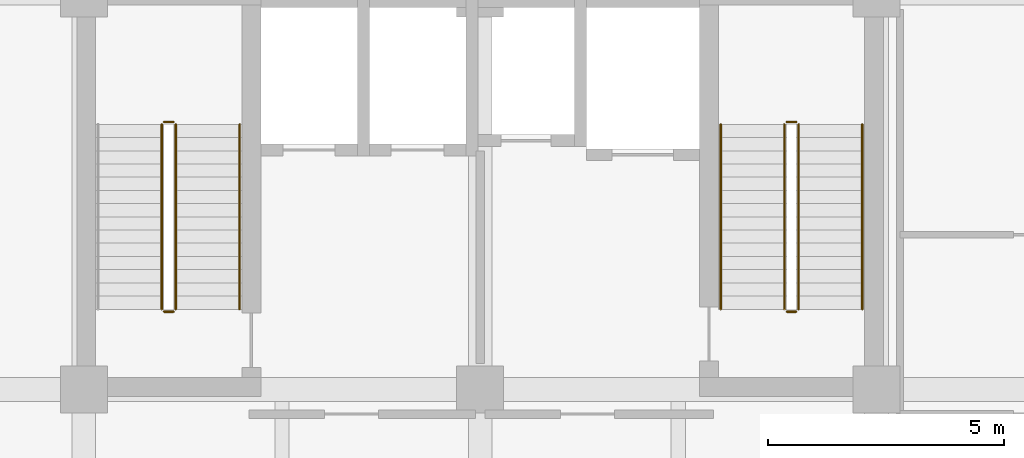
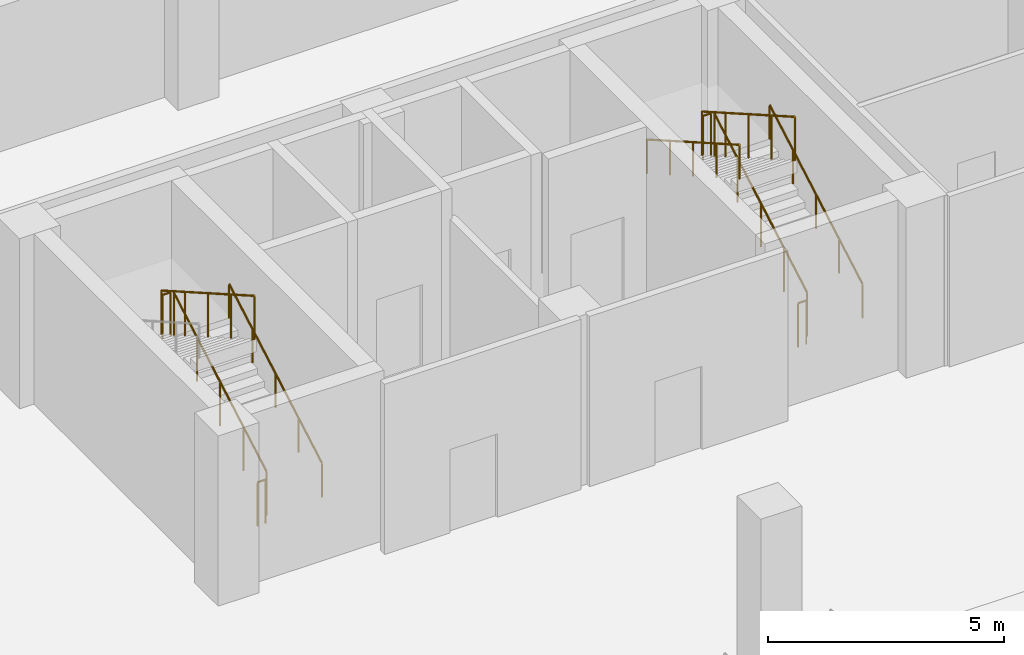
# One storey, part 17 of 17: 11 railings.
"""IFC4 building model written with IfcOpenShell, lengths in metres."""

from ifc_helpers import new_model, si_unit, direction, frame, origin, origin_2d, place, context, subcontext, project, spatial, circle, extrude, material, type_object, element, save


model = new_model("IFC4")

# Units and contexts
model_context = context("Model", 3, precision=1e-05, world=origin(), true_north=direction((0.0, 1.0)))
body_context = subcontext(model_context, "Body", "Model", "MODEL_VIEW")
ifc_project = project(units=[si_unit("LENGTHUNIT", "METRE"), si_unit("AREAUNIT", "SQUARE_METRE"), si_unit("VOLUMEUNIT", "CUBIC_METRE"), si_unit("PLANEANGLEUNIT", "RADIAN"), si_unit("MASSUNIT", "GRAM", prefix="KILO")], contexts=[model_context])

# Site, building, storey
site_placement = place(None, origin())
site = spatial("IfcSite", under=ifc_project, at=site_placement, CompositionType="ELEMENT")
building_placement = place(site_placement, origin())
building = spatial("IfcBuilding", under=site, at=building_placement, Name="Brinegate Botanical Conservatory", CompositionType="ELEMENT")
storey_placement = place(building_placement, frame((0.0, 0.0, -4.800048828125)))
storey = spatial("IfcBuildingStorey", under=building, at=storey_placement, Name="B1", CompositionType="ELEMENT", Elevation=-4.800048828125)

# Railings
ifc_material_1 = material(Name="Structural steel Q355B / S355 painted tubular guardrail", Category="steel")
railing_type_1 = type_object("IfcRailingType", Name="Rail_ST-GRD", PredefinedType="GUARDRAIL", material=ifc_material_1)
railing_1_placement = place(storey_placement, frame((140.75, 96.89990234375, 0.16015625)))
element("IfcRailing", 1, at=railing_1_placement, inside=storey, type_object=railing_type_1, Name="B1 ST1 stair guard 1", PredefinedType="GUARDRAIL", context=body_context, shape_type="SweptSolid", body=[
    extrude(circle(Radius=0.02392578125, at=origin_2d()), frame((0.0, 0.0, 1.1259765625), z_axis=(0.0, 0.86825312469, 0.496121468458), x_axis=(-1.0, 0.0, 0.0)), (0.0, 0.0, 1.0), 4.514892578125),
    extrude(circle(Radius=0.02099609375, at=origin_2d()), origin(), (0.0, 0.0, 1.0), 1.101806640625),
    extrude(circle(Radius=0.02099609375, at=origin_2d()), frame((0.0, 0.97998046875, 0.56005859375)), (0.0, 0.0, 1.0), 1.101806640625),
    extrude(circle(Radius=0.02099609375, at=origin_2d()), frame((0.0, 1.9599609375, 1.1201171875)), (0.0, 0.0, 1.0), 1.101806640625),
    extrude(circle(Radius=0.02099609375, at=origin_2d()), frame((0.0, 2.940185546875, 1.679931640625)), (0.0, 0.0, 1.0), 1.101806640625),
    extrude(circle(Radius=0.02099609375, at=origin_2d()), frame((0.0, 3.920166015625, 2.239990234375)), (0.0, 0.0, 1.0), 1.101806640625),
])
railing_2_placement = place(storey_placement, frame((140.699951171875, 100.8701171875, 2.400146484375)))
element("IfcRailing", 2, at=railing_2_placement, inside=storey, type_object=railing_type_1, Name="B1 ST1 stair guard 2", PredefinedType="GUARDRAIL", context=body_context, shape_type="SweptSolid", body=[
    extrude(circle(Radius=0.02392578125, at=origin_2d()), frame((0.0, 0.0, 1.1259765625), z_axis=(-1.0, 0.0, 0.0), x_axis=(0.0, -1.0, 0.0)), (0.0, 0.0, 1.0), 0.199951171875),
    extrude(circle(Radius=0.02099609375, at=origin_2d()), origin(), (0.0, 0.0, 1.0), 1.101806640625),
    extrude(circle(Radius=0.02099609375, at=origin_2d()), frame((-0.199951171875, 0.0, 0.0)), (0.0, 0.0, 1.0), 1.101806640625),
])
railing_3_placement = place(storey_placement, frame((140.449951171875, 100.820068359375, 2.56005859375)))
element("IfcRailing", 3, at=railing_3_placement, inside=storey, type_object=railing_type_1, Name="B1 ST1 stair guard 3", PredefinedType="GUARDRAIL", context=body_context, shape_type="SweptSolid", body=[
    extrude(circle(Radius=0.02392578125, at=origin_2d()), frame((0.0, 0.0, 1.1259765625), z_axis=(0.0, -0.86825312469, 0.496121468458), x_axis=(1.0, 0.0, 0.0)), (0.0, 0.0, 1.0), 4.514892578125),
    extrude(circle(Radius=0.02099609375, at=origin_2d()), origin(), (0.0, 0.0, 1.0), 1.101806640625),
    extrude(circle(Radius=0.02099609375, at=origin_2d()), frame((0.0, -0.97998046875, 0.56005859375)), (0.0, 0.0, 1.0), 1.101806640625),
    extrude(circle(Radius=0.02099609375, at=origin_2d()), frame((0.0, -1.9599609375, 1.1201171875)), (0.0, 0.0, 1.0), 1.101806640625),
    extrude(circle(Radius=0.02099609375, at=origin_2d()), frame((0.0, -2.940185546875, 1.679931640625)), (0.0, 0.0, 1.0), 1.101806640625),
    extrude(circle(Radius=0.02099609375, at=origin_2d()), frame((0.0, -3.920166015625, 2.239990234375)), (0.0, 0.0, 1.0), 1.101806640625),
])
railing_4_placement = place(storey_placement, frame((140.699951171875, 96.85009765625, 0.0)))
element("IfcRailing", 4, at=railing_4_placement, inside=storey, type_object=railing_type_1, Name="B1 ST1 stair guard 4", PredefinedType="GUARDRAIL", context=body_context, shape_type="SweptSolid", body=[
    extrude(circle(Radius=0.02392578125, at=origin_2d()), frame((0.0, 0.0, 1.1259765625), z_axis=(-1.0, 0.0, 0.0), x_axis=(0.0, -1.0, 0.0)), (0.0, 0.0, 1.0), 0.199951171875),
    extrude(circle(Radius=0.02099609375, at=origin_2d()), origin(), (0.0, 0.0, 1.0), 1.101806640625),
    extrude(circle(Radius=0.02099609375, at=origin_2d()), frame((-0.199951171875, 0.0, 0.0)), (0.0, 0.0, 1.0), 1.101806640625),
])
railing_5_placement = place(storey_placement, frame((153.949951171875, 96.89990234375, 0.16015625)))
element("IfcRailing", 5, at=railing_5_placement, inside=storey, type_object=railing_type_1, Name="B1 ST2 stair guard 1", PredefinedType="GUARDRAIL", context=body_context, shape_type="SweptSolid", body=[
    extrude(circle(Radius=0.02392578125, at=origin_2d()), frame((0.0, 0.0, 1.1259765625), z_axis=(0.0, 0.86825312469, 0.496121468458), x_axis=(-1.0, 0.0, 0.0)), (0.0, 0.0, 1.0), 4.514892578125),
    extrude(circle(Radius=0.02099609375, at=origin_2d()), origin(), (0.0, 0.0, 1.0), 1.101806640625),
    extrude(circle(Radius=0.02099609375, at=origin_2d()), frame((0.0, 0.97998046875, 0.56005859375)), (0.0, 0.0, 1.0), 1.101806640625),
    extrude(circle(Radius=0.02099609375, at=origin_2d()), frame((0.0, 1.9599609375, 1.1201171875)), (0.0, 0.0, 1.0), 1.101806640625),
    extrude(circle(Radius=0.02099609375, at=origin_2d()), frame((0.0, 2.940185546875, 1.679931640625)), (0.0, 0.0, 1.0), 1.101806640625),
    extrude(circle(Radius=0.02099609375, at=origin_2d()), frame((0.0, 3.920166015625, 2.239990234375)), (0.0, 0.0, 1.0), 1.101806640625),
])
railing_6_placement = place(storey_placement, frame((153.89990234375, 100.8701171875, 2.400146484375)))
element("IfcRailing", 6, at=railing_6_placement, inside=storey, type_object=railing_type_1, Name="B1 ST2 stair guard 2", PredefinedType="GUARDRAIL", context=body_context, shape_type="SweptSolid", body=[
    extrude(circle(Radius=0.02392578125, at=origin_2d()), frame((0.0, 0.0, 1.1259765625), z_axis=(-1.0, 0.0, 0.0), x_axis=(0.0, -1.0, 0.0)), (0.0, 0.0, 1.0), 0.199951171875),
    extrude(circle(Radius=0.02099609375, at=origin_2d()), origin(), (0.0, 0.0, 1.0), 1.101806640625),
    extrude(circle(Radius=0.02099609375, at=origin_2d()), frame((-0.199951171875, 0.0, 0.0)), (0.0, 0.0, 1.0), 1.101806640625),
])
railing_7_placement = place(storey_placement, frame((153.64990234375, 100.820068359375, 2.56005859375)))
element("IfcRailing", 7, at=railing_7_placement, inside=storey, type_object=railing_type_1, Name="B1 ST2 stair guard 3", PredefinedType="GUARDRAIL", context=body_context, shape_type="SweptSolid", body=[
    extrude(circle(Radius=0.02392578125, at=origin_2d()), frame((0.0, 0.0, 1.1259765625), z_axis=(0.0, -0.86825312469, 0.496121468458), x_axis=(1.0, 0.0, 0.0)), (0.0, 0.0, 1.0), 4.514892578125),
    extrude(circle(Radius=0.02099609375, at=origin_2d()), origin(), (0.0, 0.0, 1.0), 1.101806640625),
    extrude(circle(Radius=0.02099609375, at=origin_2d()), frame((0.0, -0.97998046875, 0.56005859375)), (0.0, 0.0, 1.0), 1.101806640625),
    extrude(circle(Radius=0.02099609375, at=origin_2d()), frame((0.0, -1.9599609375, 1.1201171875)), (0.0, 0.0, 1.0), 1.101806640625),
    extrude(circle(Radius=0.02099609375, at=origin_2d()), frame((0.0, -2.940185546875, 1.679931640625)), (0.0, 0.0, 1.0), 1.101806640625),
    extrude(circle(Radius=0.02099609375, at=origin_2d()), frame((0.0, -3.920166015625, 2.239990234375)), (0.0, 0.0, 1.0), 1.101806640625),
])
railing_8_placement = place(storey_placement, frame((153.89990234375, 96.85009765625, 0.0)))
element("IfcRailing", 8, at=railing_8_placement, inside=storey, type_object=railing_type_1, Name="B1 ST2 stair guard 4", PredefinedType="GUARDRAIL", context=body_context, shape_type="SweptSolid", body=[
    extrude(circle(Radius=0.02392578125, at=origin_2d()), frame((0.0, 0.0, 1.1259765625), z_axis=(-1.0, 0.0, 0.0), x_axis=(0.0, -1.0, 0.0)), (0.0, 0.0, 1.0), 0.199951171875),
    extrude(circle(Radius=0.02099609375, at=origin_2d()), origin(), (0.0, 0.0, 1.0), 1.101806640625),
    extrude(circle(Radius=0.02099609375, at=origin_2d()), frame((-0.199951171875, 0.0, 0.0)), (0.0, 0.0, 1.0), 1.101806640625),
])
ifc_material_2 = material(Name="Brushed stainless steel S355 handrail", Category="steel")
railing_type_2 = type_object("IfcRailingType", Name="Rail_ST-HND", PredefinedType="HANDRAIL", material=ifc_material_2)
for number, where, name in (
    (9, (142.10009765625, 96.89990234375, 0.16015625), "B1 ST1 stair handrail 1"),
    (10, (155.300048828125, 96.89990234375, 0.16015625), "B1 ST2 stair handrail 1"),
):
    element("IfcRailing", number, at=place(storey_placement, frame(where)), inside=storey, type_object=railing_type_2, Name=name, PredefinedType="HANDRAIL", context=body_context, shape_type="SweptSolid", body=[
        extrude(circle(Radius=0.02392578125, at=origin_2d()), frame((0.0, 0.0, 0.8759765625), z_axis=(0.0, 0.86825312469, 0.496121468458), x_axis=(-1.0, 0.0, 0.0)), (0.0, 0.0, 1.0), 4.514892578125),
        extrude(circle(Radius=0.02099609375, at=origin_2d()), origin(), (0.0, 0.0, 1.0), 0.851806640625),
        extrude(circle(Radius=0.02099609375, at=origin_2d()), frame((0.0, 0.97998046875, 0.56005859375)), (0.0, 0.0, 1.0), 0.851806640625),
        extrude(circle(Radius=0.02099609375, at=origin_2d()), frame((0.0, 1.9599609375, 1.1201171875)), (0.0, 0.0, 1.0), 0.851806640625),
        extrude(circle(Radius=0.02099609375, at=origin_2d()), frame((0.0, 2.940185546875, 1.679931640625)), (0.0, 0.0, 1.0), 0.851806640625),
        extrude(circle(Radius=0.02099609375, at=origin_2d()), frame((0.0, 3.920166015625, 2.239990234375)), (0.0, 0.0, 1.0), 0.851806640625),
    ])
railing_9_placement = place(storey_placement, frame((152.300048828125, 100.820068359375, 2.56005859375)))
element("IfcRailing", 11, at=railing_9_placement, inside=storey, type_object=railing_type_2, Name="B1 ST2 stair handrail 2", PredefinedType="HANDRAIL", context=body_context, shape_type="SweptSolid", body=[
    extrude(circle(Radius=0.02392578125, at=origin_2d()), frame((0.0, 0.0, 0.8759765625), z_axis=(0.0, -0.86825312469, 0.496121468458), x_axis=(1.0, 0.0, 0.0)), (0.0, 0.0, 1.0), 4.514892578125),
    extrude(circle(Radius=0.02099609375, at=origin_2d()), origin(), (0.0, 0.0, 1.0), 0.851806640625),
    extrude(circle(Radius=0.02099609375, at=origin_2d()), frame((0.0, -0.97998046875, 0.56005859375)), (0.0, 0.0, 1.0), 0.851806640625),
    extrude(circle(Radius=0.02099609375, at=origin_2d()), frame((0.0, -1.9599609375, 1.1201171875)), (0.0, 0.0, 1.0), 0.851806640625),
    extrude(circle(Radius=0.02099609375, at=origin_2d()), frame((0.0, -2.940185546875, 1.679931640625)), (0.0, 0.0, 1.0), 0.851806640625),
    extrude(circle(Radius=0.02099609375, at=origin_2d()), frame((0.0, -3.920166015625, 2.239990234375)), (0.0, 0.0, 1.0), 0.851806640625),
])

save(model, "model.ifc")
